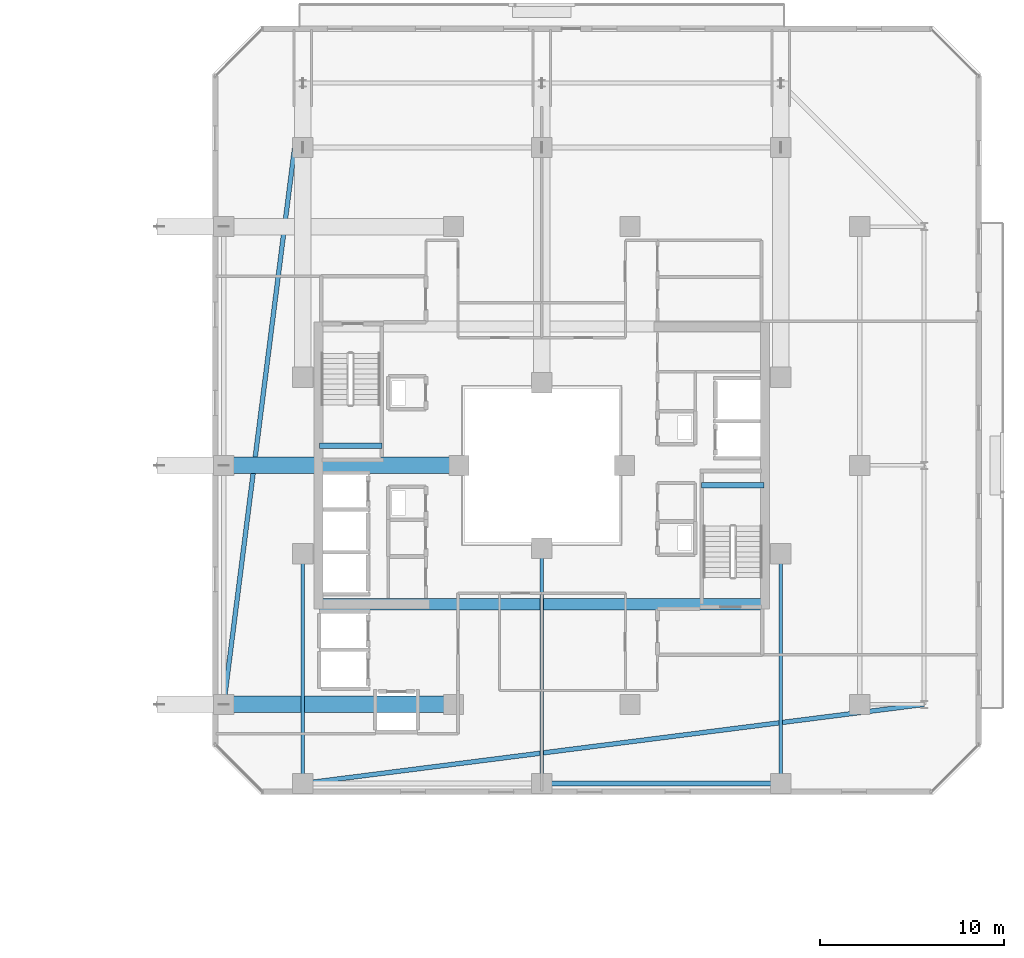
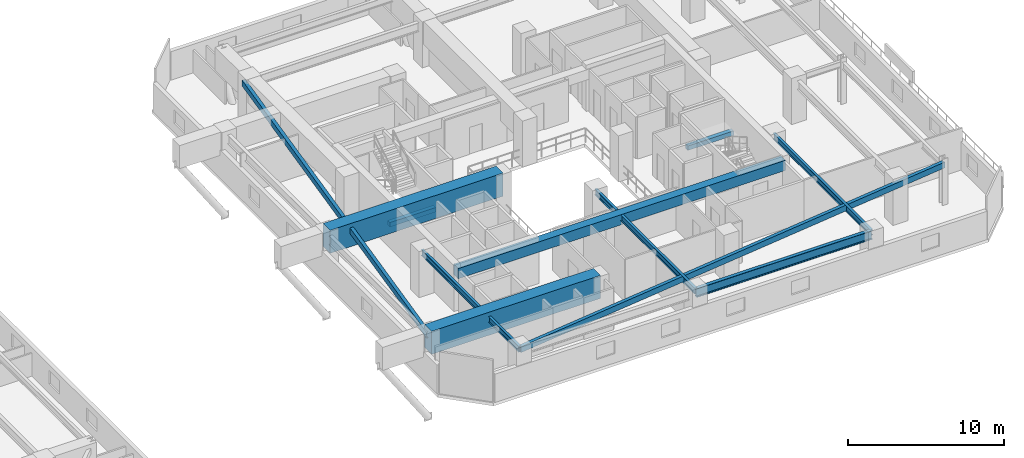
# One storey, part 13 of 36: 11 beams.
"""IFC4 building model written with IfcOpenShell, lengths in metres."""

import ifcopenshell
import ifcopenshell.guid

model = None  # the IFC model being written
_history = None  # IfcOwnerHistory: only IFC2X3 demands one
_inside = {}  # id of a spatial element -> (the spatial element, [elements in it])
_under = {}  # id of a project, library or spatial element -> (it, [spatial elements below it])
_declared = {}  # id of a project -> (the project, [libraries it declares])
_typed = {}  # id of a type object -> (the type object, [elements of that type])
_made_of = {}  # id of a material, layer set ... -> (it, [elements and type objects made of it])


def new_model(schema):
    """Start an empty IFC model of exactly this schema.

    Asked for "IFC4X3", IfcOpenShell would pick the latest addendum, in which some entities
    have other attributes; the version numbers below select the first issue.
    IFC2X3 requires an IfcOwnerHistory on every rooted entity: one is made here for all.
    """
    global model, _history
    if schema == "IFC4X3":
        model = ifcopenshell.file(schema_version=(4, 3, 0, 0))
    else:
        model = ifcopenshell.file(schema=schema)
    _inside.clear()
    _under.clear()
    _declared.clear()
    _typed.clear()
    _made_of.clear()
    _history = None
    if model.schema == "IFC2X3":
        org = make("IfcOrganization", Name="unknown")
        user = make(
            "IfcPersonAndOrganization",
            ThePerson=make("IfcPerson", FamilyName="unknown"),
            TheOrganization=org,
        )
        app = make(
            "IfcApplication",
            ApplicationDeveloper=org,
            Version="unknown",
            ApplicationFullName="unknown",
            ApplicationIdentifier="unknown",
        )
        _history = make(
            "IfcOwnerHistory",
            OwningUser=user,
            OwningApplication=app,
            ChangeAction="ADDED",
            CreationDate=0,
        )
    return model


def make(cls, **values):
    """One entity of the class cls with the attributes given. An attribute that is None is left unset."""
    return model.create_entity(
        cls, **{name: value for name, value in values.items() if value is not None}
    )


def rooted(cls, **values):
    """An entity with a GlobalId (a new one), such as an element, a storey or a relation."""
    return make(cls, GlobalId=ifcopenshell.guid.new(), OwnerHistory=_history, **values)


def si_unit(unit_type, name, prefix=None):
    """IfcSIUnit, for example si_unit("LENGTHUNIT", "METRE", prefix="MILLI")."""
    return make("IfcSIUnit", UnitType=unit_type, Prefix=prefix, Name=name)


def assignment(units):
    """IfcUnitAssignment: the units of a project."""
    return None if units is None else make("IfcUnitAssignment", Units=units)


def point(xyz):
    """IfcCartesianPoint."""
    return None if xyz is None else make("IfcCartesianPoint", Coordinates=xyz)


def direction(xyz):
    """IfcDirection."""
    return None if xyz is None else make("IfcDirection", DirectionRatios=xyz)


def frame(location, z_axis=None, x_axis=None):
    """IfcAxis2Placement3D, a coordinate frame: its origin and axes. An axis left out is left unset."""
    return make(
        "IfcAxis2Placement3D",
        Location=point(location),
        Axis=direction(z_axis),
        RefDirection=direction(x_axis),
    )


def frame_2d(location, x_axis=None):
    """IfcAxis2Placement2D, a coordinate frame in the plane: its origin and x axis."""
    return make(
        "IfcAxis2Placement2D", Location=point(location), RefDirection=direction(x_axis)
    )


def origin():
    """The frame at (0, 0, 0) with its axes left unset."""
    return frame((0.0, 0.0, 0.0))


def origin_2d():
    """The frame at (0, 0) in the plane with its x axis left unset."""
    return frame_2d((0.0, 0.0))


def place(relative_to, where):
    """IfcLocalPlacement: puts the frame where relative to a parent placement (None: the world)."""
    return make(
        "IfcLocalPlacement", PlacementRelTo=relative_to, RelativePlacement=where
    )


def context(
    kind, dimensions, precision=None, world=None, true_north=None, identifier=None
):
    """IfcGeometricRepresentationContext, for example the 3D "Model" context."""
    return make(
        "IfcGeometricRepresentationContext",
        ContextIdentifier=identifier,
        ContextType=kind,
        CoordinateSpaceDimension=dimensions,
        Precision=precision,
        WorldCoordinateSystem=world,
        TrueNorth=true_north,
    )


def subcontext(parent, identifier, kind, view, scale=None):
    """IfcGeometricRepresentationSubContext, for example "Body" below "Model"."""
    return make(
        "IfcGeometricRepresentationSubContext",
        ContextIdentifier=identifier,
        ContextType=kind,
        ParentContext=parent,
        TargetScale=scale,
        TargetView=view,
    )


def project(units=None, contexts=None):
    """IfcProject with its units and contexts."""
    return rooted(
        "IfcProject",
        Name="project",
        RepresentationContexts=contexts,
        UnitsInContext=assignment(units),
    )


def spatial(cls, under=None, at=None, **own):
    """A site, building, storey or space (cls), placed at a placement, below another one or the project."""
    s = rooted(cls, ObjectPlacement=at, **own)
    if under is not None:
        _under.setdefault(under.id(), (under, []))[1].append(s)
    return s


def profile(cls, at=None, kind="AREA", **sizes):
    """A parametric profile (cls). Its sizes go by their IFC names, for example OverallWidth=200.0."""
    return make(cls, ProfileType=kind, Position=at, **sizes)


def rectangle(**sizes):
    """IfcRectangleProfileDef."""
    return profile("IfcRectangleProfileDef", **sizes)


def hollow_rectangle(**sizes):
    """IfcRectangleHollowProfileDef."""
    return profile("IfcRectangleHollowProfileDef", **sizes)


def i_section(**sizes):
    """IfcIShapeProfileDef."""
    return profile("IfcIShapeProfileDef", **sizes)


def extrude(swept, where, along, depth):
    """IfcExtrudedAreaSolid: the profile swept, set in the frame where, extruded along a direction by depth."""
    return make(
        "IfcExtrudedAreaSolid",
        SweptArea=swept,
        Position=where,
        ExtrudedDirection=direction(along),
        Depth=depth,
    )


def shape(context_of_items, identifier, shape_type, items):
    """IfcShapeRepresentation: the items that make up one representation, for example the "Body"."""
    return make(
        "IfcShapeRepresentation",
        ContextOfItems=context_of_items,
        RepresentationIdentifier=identifier,
        RepresentationType=shape_type,
        Items=items,
    )


def material(Name=None, Category=None):
    """IfcMaterial."""
    return make("IfcMaterial", Name=Name, Category=Category)


def material_profile(
    of_material, cross_section, Name=None, Category=None, Priority=None
):
    """IfcMaterialProfile: a cross section and its material."""
    return make(
        "IfcMaterialProfile",
        Name=Name,
        Material=of_material,
        Profile=cross_section,
        Priority=Priority,
        Category=Category,
    )


def profile_set(profiles, Name=None, composite=None):
    """IfcMaterialProfileSet."""
    return make(
        "IfcMaterialProfileSet",
        Name=Name,
        MaterialProfiles=profiles,
        CompositeProfile=composite,
    )


def made_of(thing, what):
    """Note that an element or type object is made of a material, layer set ...; save() writes the relation."""
    if what is not None:
        _made_of.setdefault(what.id(), (what, []))[1].append(thing)
    return thing


def type_object(cls, material=None, **own):
    """A type object (cls), such as IfcWallType, which elements share."""
    return made_of(rooted(cls, **own), material)


def element(
    cls,
    number,
    at=None,
    inside=None,
    cuts=None,
    type_object=None,
    material=None,
    context=None,
    identifier="Body",
    shape_type=None,
    held_by="IfcProductDefinitionShape",
    body=None,
    shapes=None,
    **own,
):
    """One element of the class cls, such as IfcWall. Its Tag is "e" and its number.

    at: its placement. inside: the storey or other place that contains it. cuts: it is an
    opening in that element (IfcRelVoidsElement). A single representation is given by context,
    identifier, shape_type and body (its items); several are given by shapes. held_by: the class
    of the entity that holds the representations. save() writes the other relations.
    """
    e = rooted(cls, Tag="e%d" % number, ObjectPlacement=at, **own)
    if body is not None:
        shapes = [shape(context, identifier, shape_type, body)]
    if shapes is not None:
        e.Representation = make(held_by, Representations=shapes)
    if inside is not None:
        _inside.setdefault(inside.id(), (inside, []))[1].append(e)
    if cuts is not None:
        rooted(
            "IfcRelVoidsElement", RelatingBuildingElement=cuts, RelatedOpeningElement=e
        )
    if type_object is not None:
        _typed.setdefault(type_object.id(), (type_object, []))[1].append(e)
    return made_of(e, material)


def aggregate(whole, parts):
    """IfcRelAggregates: a whole, such as a stair, and the parts it consists of."""
    return rooted("IfcRelAggregates", RelatingObject=whole, RelatedObjects=parts)


def save(model, path):
    """Write the relations noted so far, then the file.

    IfcRelAggregates (storeys below a building ...), IfcRelContainedInSpatialStructure (elements
    in a storey), IfcRelDefinesByType, IfcRelAssociatesMaterial and IfcRelDeclares: one each for
    every whole, place, type object, material and project.
    """
    for whole, parts in _under.values():
        aggregate(whole, parts)
    for where, things in _inside.values():
        rooted(
            "IfcRelContainedInSpatialStructure",
            RelatedElements=things,
            RelatingStructure=where,
        )
    for kind, things in _typed.values():
        rooted("IfcRelDefinesByType", RelatedObjects=things, RelatingType=kind)
    for what, things in _made_of.values():
        rooted("IfcRelAssociatesMaterial", RelatedObjects=things, RelatingMaterial=what)
    for by, libraries in _declared.values():
        rooted("IfcRelDeclares", RelatingContext=by, RelatedDefinitions=libraries)
    model.write(path)


model = new_model("IFC4")

# Units and contexts
model_context = context("Model", 3, precision=1e-05, world=origin(), true_north=direction((0.0, 1.0)))
body_context = subcontext(model_context, "Body", "Model", "MODEL_VIEW")
ifc_project = project(units=[si_unit("LENGTHUNIT", "METRE"), si_unit("AREAUNIT", "SQUARE_METRE"), si_unit("VOLUMEUNIT", "CUBIC_METRE"), si_unit("PLANEANGLEUNIT", "RADIAN"), si_unit("MASSUNIT", "GRAM", prefix="KILO")], contexts=[model_context])

# Site, building, storey
site_placement = place(None, origin())
site = spatial("IfcSite", under=ifc_project, at=site_placement, CompositionType="ELEMENT")
building_placement = place(site_placement, origin())
building = spatial("IfcBuilding", under=site, at=building_placement, Name="Thornwick Lancets Civic Towers", CompositionType="ELEMENT")
storey_placement = place(building_placement, frame((0.0, 0.0, 170.699951171875)))
storey = spatial("IfcBuildingStorey", under=building, at=storey_placement, Name="L45", CompositionType="ELEMENT", Elevation=170.699951171875)

# Beams
ifc_material_1 = material(Name="Concrete C60/75", Category="concrete")
ifc_material_profile_1 = material_profile(ifc_material_1, rectangle(XDim=0.60009765625, YDim=0.800048828125, at=origin_2d()), Name="RC 600x800")
ifc_profile_set_1 = profile_set([ifc_material_profile_1], Name="Concrete C60/75")
beam_type_1 = type_object("IfcBeamType", Name="BM_COUP_RC800", PredefinedType="BEAM", material=ifc_profile_set_1)
beam_1_placement = place(storey_placement, frame((76.39990234375, 19.449951171875, 2.880126953125), z_axis=(1.0, 0.0, 0.0), x_axis=(0.0, 1.0, 0.0)))
element("IfcBeam", 1, at=beam_1_placement, inside=storey, type_object=beam_type_1, Name="CB-L45-B2", PredefinedType="BEAM", context=body_context, shape_type="SweptSolid", body=[
    extrude(rectangle(XDim=0.60009765625, YDim=0.800048828125, at=origin_2d()), origin(), (0.0, 0.0, 1.0), 24.2001953125),
])
ifc_material_2 = material(Name="Steel S355JR", Category="steel")
ifc_material_profile_2 = material_profile(ifc_material_2, i_section(OverallWidth=0.255859375, OverallDepth=0.69287109375, WebThickness=0.014404296875, FlangeThickness=0.023681640625, FilletRadius=0.01513671875, at=origin_2d()), Name="UKB 686x254x170")
ifc_profile_set_2 = profile_set([ifc_material_profile_2], Name="Steel S355JR")
beam_type_2 = type_object("IfcBeamType", Name="BM_GIRD_686_170", PredefinedType="BEAM", material=ifc_profile_set_2)
beam_2_placement = place(storey_placement, frame((101.5, 9.699951171875, 2.93359375), z_axis=(-1.0, 0.0, 0.0), x_axis=(0.0, -1.0, 0.0)))
element("IfcBeam", 2, at=beam_2_placement, inside=storey, type_object=beam_type_2, Name="BM-SPINE-L45-B-9-10", PredefinedType="BEAM", context=body_context, shape_type="SweptSolid", body=[
    extrude(i_section(OverallWidth=0.255859375, OverallDepth=0.69287109375, WebThickness=0.014404296875, FlangeThickness=0.023681640625, FilletRadius=0.01513671875, at=origin_2d()), origin(), (0.0, 0.0, 1.0), 13.0),
])
ifc_material_profile_3 = material_profile(ifc_material_2, i_section(OverallWidth=0.19189453125, OverallDepth=0.46337890625, WebThickness=0.010498046875, FlangeThickness=0.017578125, FilletRadius=0.01025390625, at=origin_2d()), Name="UKB 457x191x89")
ifc_profile_set_3 = profile_set([ifc_material_profile_3], Name="Steel S355JR")
beam_type_3 = type_object("IfcBeamType", Name="BM_JOIST_457_89", PredefinedType="JOIST", material=ifc_profile_set_3)
beam_3_placement = place(storey_placement, frame((101.5, 22.199951171875, 3.04833984375), z_axis=(0.0, -1.0, 0.0), x_axis=(1.0, 0.0, 0.0)))
element("IfcBeam", 3, at=beam_3_placement, inside=storey, type_object=beam_type_3, Name="BM-RADIN-L45-B10", PredefinedType="JOIST", context=body_context, shape_type="SweptSolid", body=[
    extrude(i_section(OverallWidth=0.19189453125, OverallDepth=0.46337890625, WebThickness=0.010498046875, FlangeThickness=0.017578125, FilletRadius=0.01025390625, at=origin_2d()), origin(), (0.0, 0.0, 1.0), 12.5),
])
beam_4_placement = place(storey_placement, frame((88.5, 22.5, 3.04833984375), z_axis=(0.0, -1.0, 0.0), x_axis=(1.0, 0.0, 0.0)))
element("IfcBeam", 4, at=beam_4_placement, inside=storey, type_object=beam_type_3, Name="BM-RADIN-L45-B11", PredefinedType="JOIST", context=body_context, shape_type="SweptSolid", body=[
    extrude(i_section(OverallWidth=0.19189453125, OverallDepth=0.46337890625, WebThickness=0.010498046875, FlangeThickness=0.017578125, FilletRadius=0.01025390625, at=origin_2d()), origin(), (0.0, 0.0, 1.0), 12.800048828125),
])
beam_5_placement = place(storey_placement, frame((75.5, 22.199951171875, 3.04833984375), z_axis=(0.0, -1.0, 0.0), x_axis=(1.0, 0.0, 0.0)))
element("IfcBeam", 5, at=beam_5_placement, inside=storey, type_object=beam_type_3, Name="BM-RADIN-L45-B12", PredefinedType="JOIST", context=body_context, shape_type="SweptSolid", body=[
    extrude(i_section(OverallWidth=0.19189453125, OverallDepth=0.46337890625, WebThickness=0.010498046875, FlangeThickness=0.017578125, FilletRadius=0.01025390625, at=origin_2d()), origin(), (0.0, 0.0, 1.0), 12.5),
])
ifc_material_profile_4 = material_profile(ifc_material_2, hollow_rectangle(XDim=0.25, YDim=0.449951171875, WallThickness=0.01611328125, at=origin_2d()), Name="RHS 450x250x16")
ifc_profile_set_4 = profile_set([ifc_material_profile_4], Name="Steel S355JR")
beam_type_4 = type_object("IfcBeamType", Name="BM_RING_RHS450", PredefinedType="BEAM", material=ifc_profile_set_4)
beam_6_placement = place(storey_placement, frame((75.0517578125, 44.2763671875, 3.054931640625), z_axis=(-0.126204329676, -0.992004267718, 0.0), x_axis=(0.992004267718, -0.126204329676, 0.0)))
element("IfcBeam", 6, at=beam_6_placement, inside=storey, type_object=beam_type_4, Name="BM-CHAMF-L45-B-C1", PredefinedType="BEAM", context=body_context, shape_type="SweptSolid", body=[
    extrude(hollow_rectangle(XDim=0.25, YDim=0.449951171875, WallThickness=0.01611328125, at=origin_2d()), origin(), (0.0, 0.0, 1.0), 30.5205078125),
])
beam_7_placement = place(storey_placement, frame((75.5, 9.699951171875, 3.054931640625), z_axis=(0.992004437051, 0.126202998662, 0.0), x_axis=(-0.126202998662, 0.992004437051, 0.0)))
element("IfcBeam", 7, at=beam_7_placement, inside=storey, type_object=beam_type_4, Name="BM-CHAMF-L45-B-C3", PredefinedType="BEAM", context=body_context, shape_type="SweptSolid", body=[
    extrude(hollow_rectangle(XDim=0.25, YDim=0.449951171875, WallThickness=0.01611328125, at=origin_2d()), origin(), (0.0, 0.0, 1.0), 34.072509765625),
])
ifc_material_3 = material(Name="Concrete C40/50", Category="concrete")
ifc_material_profile_5 = material_profile(ifc_material_3, rectangle(XDim=0.300048828125, YDim=0.35009765625, at=origin_2d()), Name="RC 300x350")
ifc_profile_set_5 = profile_set([ifc_material_profile_5], Name="Concrete C40/50")
beam_type_5 = type_object("IfcBeamType", Name="BM_STAIR_LDG", PredefinedType="BEAM", material=ifc_profile_set_5)
for number, where, z_axis, x_axis, name in (
    (8, (100.60009765625, 25.93505859375, 1.3779296875), (-1.0, 0.0, 0.0), (0.0, -1.0, 0.0), "L45 ST-B1 Landing Support Beam 1"),
    (9, (76.39990234375, 28.06494140625, 1.3779296875), (1.0, 0.0, 0.0), (0.0, 1.0, 0.0), "L45 ST-B2 Landing Support Beam 1"),
):
    element("IfcBeam", number, at=place(storey_placement, frame(where, z_axis=z_axis, x_axis=x_axis)), inside=storey, type_object=beam_type_5, Name=name, PredefinedType="BEAM", context=body_context, shape_type="SweptSolid", body=[
        extrude(rectangle(XDim=0.300048828125, YDim=0.35009765625, at=origin_2d()), origin(), (0.0, 0.0, 1.0), 3.400146484375),
    ])
ifc_material_profile_6 = material_profile(ifc_material_1, rectangle(XDim=0.89990234375, YDim=1.800048828125, at=origin_2d()), Name="RC 900x1800")
ifc_profile_set_6 = profile_set([ifc_material_profile_6], Name="Concrete C60/75")
beam_type_6 = type_object("IfcBeamType", Name="BM_TR_RC1800", PredefinedType="BEAM", material=ifc_profile_set_6)
beam_8_placement = place(storey_placement, frame((83.699951171875, 14.0, 2.699951171875), z_axis=(-1.0, 0.0, 0.0), x_axis=(0.0, -1.0, 0.0)))
element("IfcBeam", 10, at=beam_8_placement, inside=storey, type_object=beam_type_6, Name="TG-BACK-L46-B07", PredefinedType="BEAM", context=body_context, shape_type="SweptSolid", body=[
    extrude(rectangle(XDim=0.89990234375, YDim=1.800048828125, at=origin_2d()), origin(), (0.0, 0.0, 1.0), 12.5),
])
beam_9_placement = place(storey_placement, frame((84.0, 27.0, 2.699951171875), z_axis=(-1.0, 0.0, 0.0), x_axis=(0.0, -1.0, 0.0)))
element("IfcBeam", 11, at=beam_9_placement, inside=storey, type_object=beam_type_6, Name="TG-BACK-L46-B08", PredefinedType="BEAM", context=body_context, shape_type="SweptSolid", body=[
    extrude(rectangle(XDim=0.89990234375, YDim=1.800048828125, at=origin_2d()), origin(), (0.0, 0.0, 1.0), 12.800048828125),
])

save(model, "model.ifc")
